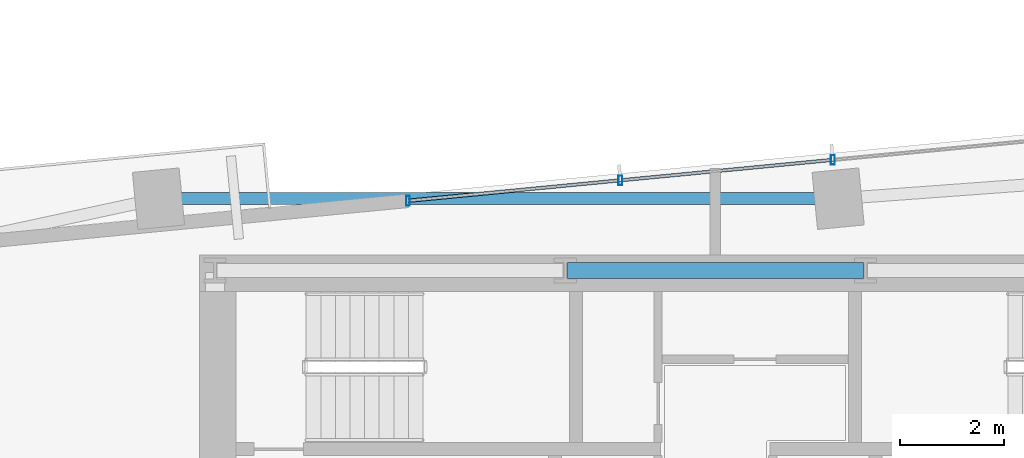
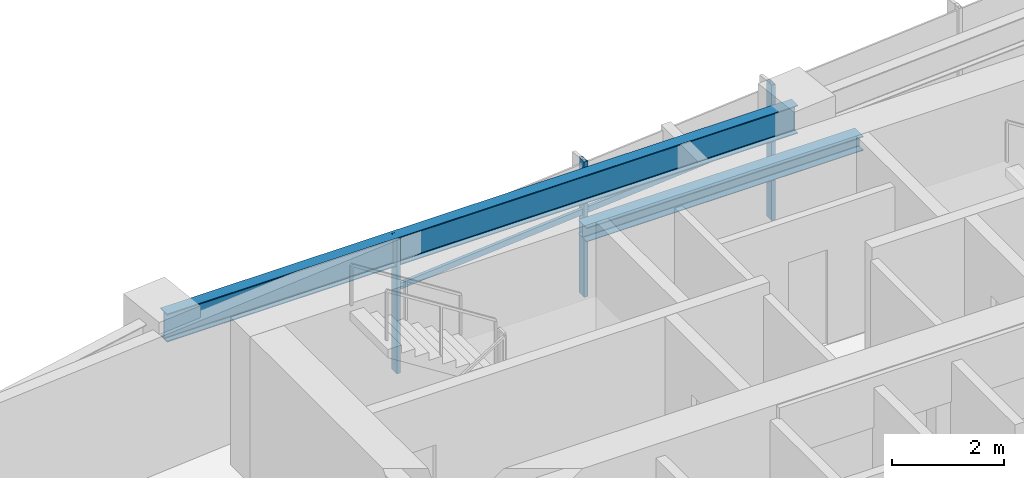
# One storey, part 10 of 27: 5 members, 2 beams, 1 element without a shape of its own.
"""IFC4 building model written with IfcOpenShell, lengths in metres."""

from ifc_helpers import new_model, si_unit, direction, frame, origin, origin_2d, place, context, subcontext, project, spatial, hollow_rectangle, i_section, extrude, source, transform, mapped, material, material_profile, profile_set, type_object, type_shapes, element, aggregate, save


model = new_model("IFC4")

# Units and contexts
model_context = context("Model", 3, precision=1e-05, world=origin(), true_north=direction((0.0, 1.0)))
body_context = subcontext(model_context, "Body", "Model", "MODEL_VIEW")
ifc_project = project(units=[si_unit("LENGTHUNIT", "METRE"), si_unit("AREAUNIT", "SQUARE_METRE"), si_unit("VOLUMEUNIT", "CUBIC_METRE"), si_unit("PLANEANGLEUNIT", "RADIAN"), si_unit("MASSUNIT", "GRAM", prefix="KILO")], contexts=[model_context])

# Site, building, storey
site_placement = place(None, origin())
site = spatial("IfcSite", under=ifc_project, at=site_placement, CompositionType="ELEMENT")
building_placement = place(site_placement, origin())
building = spatial("IfcBuilding", under=site, at=building_placement, Name="Astriad Promenade Condominiums", CompositionType="ELEMENT")
storey_placement = place(building_placement, frame((0.0, 0.0, 90.60009765625)))
storey = spatial("IfcBuildingStorey", under=building, at=storey_placement, Name="L25", CompositionType="ELEMENT", Elevation=90.60009765625)

# Beams
ifc_material_1 = material(Name="Steel ASTM A992 Grade 50", Category="steel")
ifc_material_profile_1 = material_profile(ifc_material_1, i_section(OverallWidth=0.3046875, OverallDepth=0.307861328125, WebThickness=0.010009765625, FlangeThickness=0.015380859375, FilletRadius=0.01513671875, at=origin_2d()), Name="W12X65")
ifc_profile_set_1 = profile_set([ifc_material_profile_1], Name="Steel ASTM A992 Grade 50")
beam_type_1 = type_object("IfcBeamType", Name="STEEL OPENING LINTEL W12X65", PredefinedType="LINTEL", material=ifc_profile_set_1)
shared_shape_1 = source(origin(), body_context, "Body", "SweptSolid", [
    extrude(i_section(OverallWidth=0.3046875, OverallDepth=0.307861328125, WebThickness=0.010009765625, FlangeThickness=0.015380859375, FilletRadius=0.01513671875, at=origin_2d()), origin(), (0.0, 0.0, 1.0), 5.68017578125),
])
type_shapes(beam_type_1, [shared_shape_1])
beam_1_placement = place(storey_placement, frame((33.159912109375, 24.0, 2.785888671875), z_axis=(1.0, 0.0, 0.0), x_axis=(0.0, 1.0, 0.0)))
element("IfcBeam", 1, at=beam_1_placement, inside=storey, type_object=beam_type_1, Name="Core Ring Beam CG-N2-L25", PredefinedType="LINTEL", context=body_context, shape_type="MappedRepresentation", body=[
    mapped(shared_shape_1, transform((0.0, 0.0, 0.0), scale=1.0)),
])
ifc_material_profile_2 = material_profile(ifc_material_1, i_section(OverallWidth=0.22900390625, OverallDepth=0.612060546875, WebThickness=0.011962890625, FlangeThickness=0.01953125, FilletRadius=0.017822265625, at=origin_2d()), Name="W24X84")
ifc_profile_set_2 = profile_set([ifc_material_profile_2], Name="Steel ASTM A992 Grade 50")
beam_type_2 = type_object("IfcBeamType", Name="STEEL SPANDREL BEAM W24X84", PredefinedType="SPANDREL", material=ifc_profile_set_2)
shared_shape_2 = source(origin(), body_context, "Body", "SweptSolid", [
    extrude(i_section(OverallWidth=0.22900390625, OverallDepth=0.612060546875, WebThickness=0.011962890625, FlangeThickness=0.01953125, FilletRadius=0.017822265625, at=origin_2d()), origin(), (0.0, 0.0, 1.0), 12.959716796875),
])
type_shapes(beam_type_2, [shared_shape_2])
beam_2_placement = place(storey_placement, frame((38.314697265625, 25.3798828125, 2.6337890625), z_axis=(-1.0, 0.0, 0.0), x_axis=(0.0, -1.0, 0.0)))
element("IfcBeam", 2, at=beam_2_placement, inside=storey, type_object=beam_type_2, Name="Perimeter Spandrel Beam SP-N2-L25", PredefinedType="SPANDREL", context=body_context, shape_type="MappedRepresentation", body=[
    mapped(shared_shape_2, transform((0.0, 0.0, 0.0), scale=1.0)),
])

# Curtain wall, members
ifc_material_2 = material(Name="Anodised aluminium Black Dark Glass Unitised", Category="aluminium")
curtain_wall_type = type_object("IfcCurtainWallType", Name="CW-B2-DARK", PredefinedType="USERDEFINED", material=ifc_material_2)
curtain_wall_placement = place(storey_placement, origin())
curtain_wall = element("IfcCurtainWall", 3, at=curtain_wall_placement, inside=storey, type_object=curtain_wall_type, Name="CW-L25-N", ObjectType="UNITISED_CURTAIN_WALL", PredefinedType="USERDEFINED")
ifc_material_3 = material(Name="Anodised aluminium 6063-T6 Black", Category="aluminium")
ifc_material_profile_3 = material_profile(ifc_material_3, hollow_rectangle(XDim=0.074951171875, YDim=0.18505859375, WallThickness=0.00439453125, at=origin_2d()), Name="ALU-MUL-75X185")
ifc_profile_set_3 = profile_set([ifc_material_profile_3], Name="Anodised aluminium 6063-T6 Black")
member_type_1 = type_object("IfcMemberType", Name="MUL-ALU-MUL-75X185", PredefinedType="MULLION", material=ifc_profile_set_3)
shared_shape_3 = source(origin(), body_context, "Body", "SweptSolid", [
    extrude(hollow_rectangle(XDim=0.074951171875, YDim=0.18505859375, WallThickness=0.00439453125, at=origin_2d()), origin(), (0.0, 0.0, 1.0), 2.93994140625),
])
type_shapes(member_type_1, [shared_shape_3])
member_1_placement = place(storey_placement, frame((30.101806640625, 25.339599609375, 0.0), z_axis=(0.0, 0.0, 1.0), x_axis=(1.0, 0.0, 0.0)))
member_1 = element("IfcMember", 4, at=member_1_placement, type_object=member_type_1, Name="CW-L25-N-MUL-00", PredefinedType="MULLION", context=body_context, shape_type="MappedRepresentation", body=[
    mapped(shared_shape_3, transform((0.0, 0.0, 0.0), scale=1.0)),
])
member_2_placement = place(storey_placement, frame((34.177734375, 25.732177734375, 0.0), z_axis=(0.0, 0.0, 1.0), x_axis=(1.0, 0.0, 0.0)))
member_2 = element("IfcMember", 5, at=member_2_placement, type_object=member_type_1, Name="CW-L25-N-MUL-01", PredefinedType="MULLION", context=body_context, shape_type="MappedRepresentation", body=[
    mapped(shared_shape_3, transform((0.0, 0.0, 0.0), scale=1.0)),
])
member_3_placement = place(storey_placement, frame((38.25390625, 26.12451171875, 0.0), z_axis=(0.0, 0.0, 1.0), x_axis=(1.0, 0.0, 0.0)))
member_3 = element("IfcMember", 6, at=member_3_placement, type_object=member_type_1, Name="CW-L25-N-MUL-02", PredefinedType="MULLION", context=body_context, shape_type="MappedRepresentation", body=[
    mapped(shared_shape_3, transform((0.0, 0.0, 0.0), scale=1.0)),
])
ifc_material_profile_4 = material_profile(ifc_material_3, hollow_rectangle(XDim=0.06494140625, YDim=0.1298828125, WallThickness=0.00390625, at=origin_2d()), Name="ALU-TRN-65X130")
ifc_profile_set_4 = profile_set([ifc_material_profile_4], Name="Anodised aluminium 6063-T6 Black")
member_type_2 = type_object("IfcMemberType", Name="TRN-ALU-TRN-65X130", PredefinedType="USERDEFINED", material=ifc_profile_set_4)
shared_shape_4 = source(origin(), body_context, "Body", "SweptSolid", [
    extrude(hollow_rectangle(XDim=0.06494140625, YDim=0.1298828125, WallThickness=0.00390625, at=origin_2d()), origin(), (0.0, 0.0, 1.0), 4.0947265625),
])
member_4_placement = place(storey_placement, frame((30.101806640625, 25.339599609375, 1.82275390625), z_axis=(0.995393613612, 0.095872592434, 0.0), x_axis=(-0.095872592434, 0.995393613612, 0.0)))
member_4 = element("IfcMember", 7, at=member_4_placement, type_object=member_type_2, Name="CW-L25-N-TRN-00-0", ObjectType="TRANSOM", PredefinedType="USERDEFINED", context=body_context, shape_type="MappedRepresentation", body=[
    mapped(shared_shape_4, transform((0.0, 0.0, 0.0), scale=1.0)),
])
shared_shape_5 = source(origin(), body_context, "Body", "SweptSolid", [
    extrude(hollow_rectangle(XDim=0.06494140625, YDim=0.1298828125, WallThickness=0.00390625, at=origin_2d()), origin(), (0.0, 0.0, 1.0), 4.094970703125),
])
type_shapes(member_type_2, [shared_shape_4, shared_shape_5])
member_5_placement = place(storey_placement, frame((34.177734375, 25.732177734375, 1.82275390625), z_axis=(0.995399849002, 0.095807831657, 0.0), x_axis=(-0.095807831657, 0.995399849002, 0.0)))
member_5 = element("IfcMember", 8, at=member_5_placement, type_object=member_type_2, Name="CW-L25-N-TRN-01-0", ObjectType="TRANSOM", PredefinedType="USERDEFINED", context=body_context, shape_type="MappedRepresentation", body=[
    mapped(shared_shape_5, transform((0.0, 0.0, 0.0), scale=1.0)),
])
aggregate(curtain_wall, [member_1, member_2, member_3, member_4, member_5])

save(model, "model.ifc")
